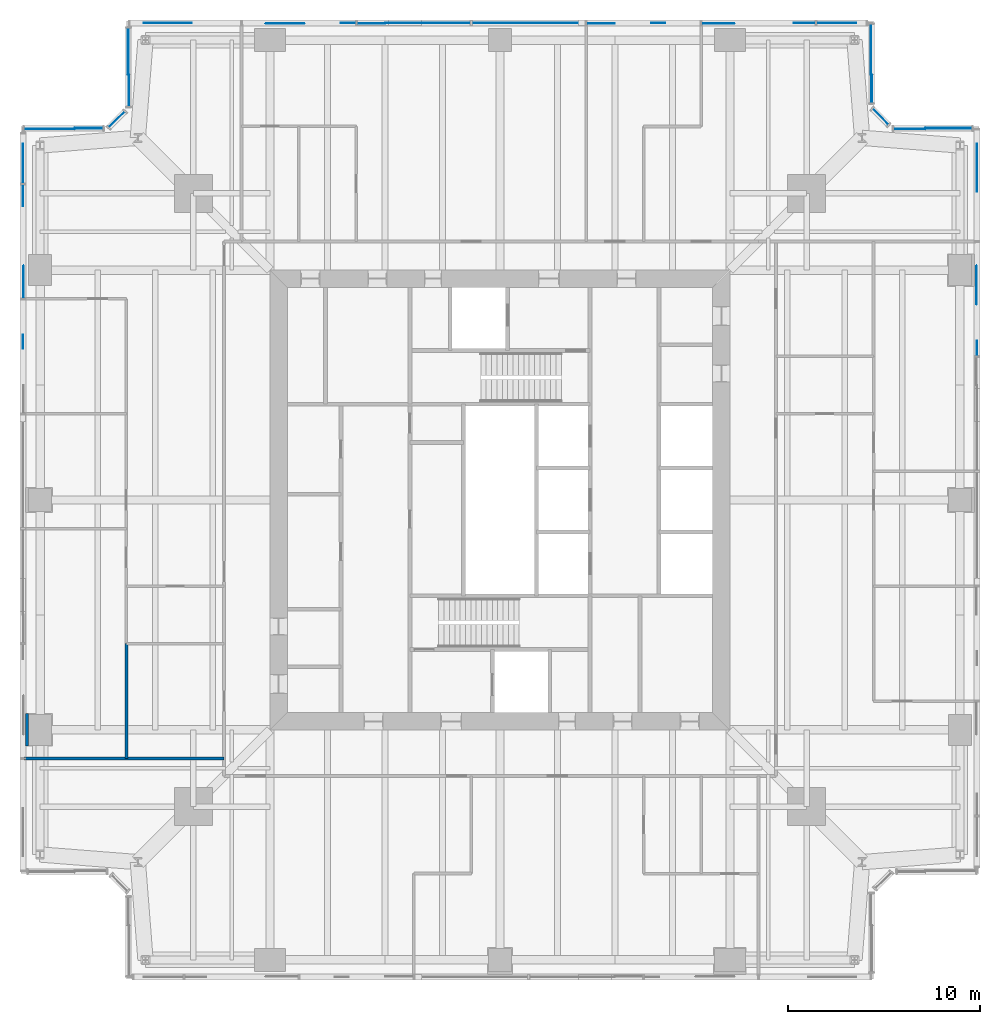
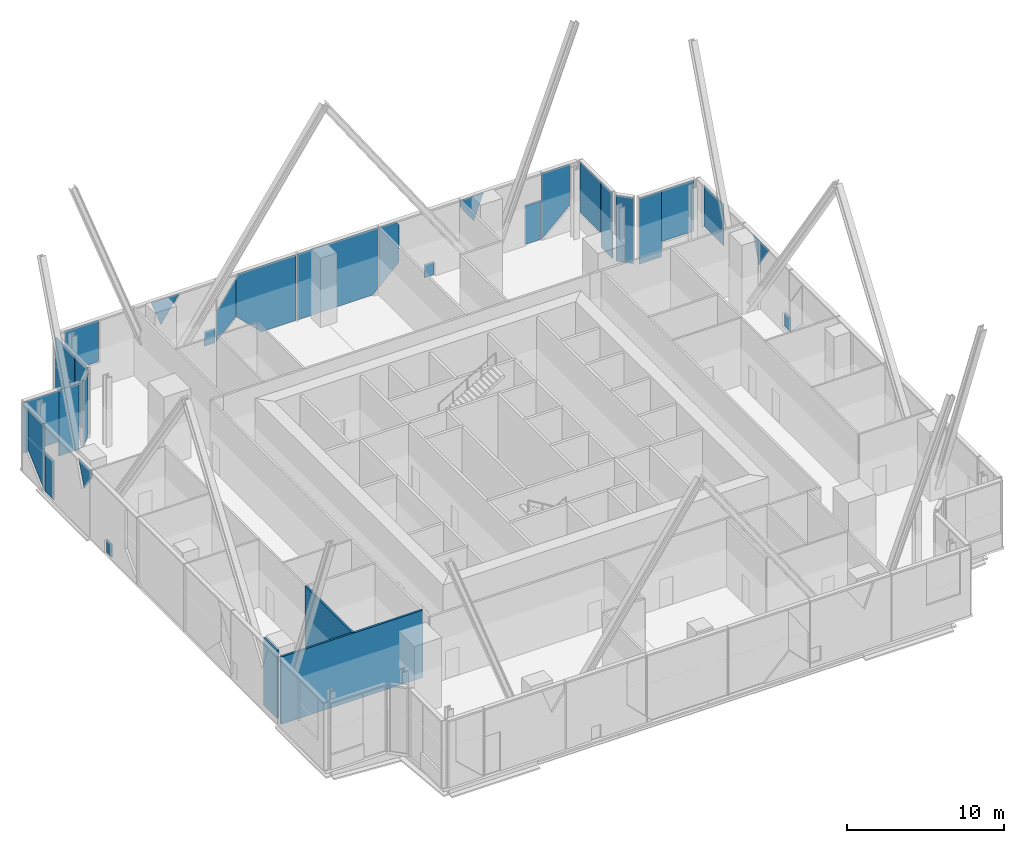
# One storey, part 8 of 14: 28 plates, 3 walls, 9 elements without a shape of their own.
"""IFC4 building model written with IfcOpenShell, lengths in metres."""

import ifcopenshell
import ifcopenshell.guid

model = None  # the IFC model being written
_history = None  # IfcOwnerHistory: only IFC2X3 demands one
_inside = {}  # id of a spatial element -> (the spatial element, [elements in it])
_under = {}  # id of a project, library or spatial element -> (it, [spatial elements below it])
_declared = {}  # id of a project -> (the project, [libraries it declares])
_typed = {}  # id of a type object -> (the type object, [elements of that type])
_made_of = {}  # id of a material, layer set ... -> (it, [elements and type objects made of it])


def new_model(schema):
    """Start an empty IFC model of exactly this schema.

    Asked for "IFC4X3", IfcOpenShell would pick the latest addendum, in which some entities
    have other attributes; the version numbers below select the first issue.
    IFC2X3 requires an IfcOwnerHistory on every rooted entity: one is made here for all.
    """
    global model, _history
    if schema == "IFC4X3":
        model = ifcopenshell.file(schema_version=(4, 3, 0, 0))
    else:
        model = ifcopenshell.file(schema=schema)
    _inside.clear()
    _under.clear()
    _declared.clear()
    _typed.clear()
    _made_of.clear()
    _history = None
    if model.schema == "IFC2X3":
        org = make("IfcOrganization", Name="unknown")
        user = make(
            "IfcPersonAndOrganization",
            ThePerson=make("IfcPerson", FamilyName="unknown"),
            TheOrganization=org,
        )
        app = make(
            "IfcApplication",
            ApplicationDeveloper=org,
            Version="unknown",
            ApplicationFullName="unknown",
            ApplicationIdentifier="unknown",
        )
        _history = make(
            "IfcOwnerHistory",
            OwningUser=user,
            OwningApplication=app,
            ChangeAction="ADDED",
            CreationDate=0,
        )
    return model


def make(cls, **values):
    """One entity of the class cls with the attributes given. An attribute that is None is left unset."""
    return model.create_entity(
        cls, **{name: value for name, value in values.items() if value is not None}
    )


def rooted(cls, **values):
    """An entity with a GlobalId (a new one), such as an element, a storey or a relation."""
    return make(cls, GlobalId=ifcopenshell.guid.new(), OwnerHistory=_history, **values)


def si_unit(unit_type, name, prefix=None):
    """IfcSIUnit, for example si_unit("LENGTHUNIT", "METRE", prefix="MILLI")."""
    return make("IfcSIUnit", UnitType=unit_type, Prefix=prefix, Name=name)


def assignment(units):
    """IfcUnitAssignment: the units of a project."""
    return None if units is None else make("IfcUnitAssignment", Units=units)


def point(xyz):
    """IfcCartesianPoint."""
    return None if xyz is None else make("IfcCartesianPoint", Coordinates=xyz)


def direction(xyz):
    """IfcDirection."""
    return None if xyz is None else make("IfcDirection", DirectionRatios=xyz)


def frame(location, z_axis=None, x_axis=None):
    """IfcAxis2Placement3D, a coordinate frame: its origin and axes. An axis left out is left unset."""
    return make(
        "IfcAxis2Placement3D",
        Location=point(location),
        Axis=direction(z_axis),
        RefDirection=direction(x_axis),
    )


def frame_2d(location, x_axis=None):
    """IfcAxis2Placement2D, a coordinate frame in the plane: its origin and x axis."""
    return make(
        "IfcAxis2Placement2D", Location=point(location), RefDirection=direction(x_axis)
    )


def origin():
    """The frame at (0, 0, 0) with its axes left unset."""
    return frame((0.0, 0.0, 0.0))


def origin_2d():
    """The frame at (0, 0) in the plane with its x axis left unset."""
    return frame_2d((0.0, 0.0))


def place(relative_to, where):
    """IfcLocalPlacement: puts the frame where relative to a parent placement (None: the world)."""
    return make(
        "IfcLocalPlacement", PlacementRelTo=relative_to, RelativePlacement=where
    )


def context(
    kind, dimensions, precision=None, world=None, true_north=None, identifier=None
):
    """IfcGeometricRepresentationContext, for example the 3D "Model" context."""
    return make(
        "IfcGeometricRepresentationContext",
        ContextIdentifier=identifier,
        ContextType=kind,
        CoordinateSpaceDimension=dimensions,
        Precision=precision,
        WorldCoordinateSystem=world,
        TrueNorth=true_north,
    )


def subcontext(parent, identifier, kind, view, scale=None):
    """IfcGeometricRepresentationSubContext, for example "Body" below "Model"."""
    return make(
        "IfcGeometricRepresentationSubContext",
        ContextIdentifier=identifier,
        ContextType=kind,
        ParentContext=parent,
        TargetScale=scale,
        TargetView=view,
    )


def project(units=None, contexts=None):
    """IfcProject with its units and contexts."""
    return rooted(
        "IfcProject",
        Name="project",
        RepresentationContexts=contexts,
        UnitsInContext=assignment(units),
    )


def spatial(cls, under=None, at=None, **own):
    """A site, building, storey or space (cls), placed at a placement, below another one or the project."""
    s = rooted(cls, ObjectPlacement=at, **own)
    if under is not None:
        _under.setdefault(under.id(), (under, []))[1].append(s)
    return s


def polyline(points):
    """IfcPolyline through the points."""
    return make("IfcPolyline", Points=[point(p) for p in points])


def profile(cls, at=None, kind="AREA", **sizes):
    """A parametric profile (cls). Its sizes go by their IFC names, for example OverallWidth=200.0."""
    return make(cls, ProfileType=kind, Position=at, **sizes)


def rectangle(**sizes):
    """IfcRectangleProfileDef."""
    return profile("IfcRectangleProfileDef", **sizes)


def outline(outer, holes=None, kind="AREA"):
    """IfcArbitraryClosedProfileDef: a profile drawn as a closed curve; with holes, ...WithVoids."""
    if holes is None:
        return make("IfcArbitraryClosedProfileDef", ProfileType=kind, OuterCurve=outer)
    return make(
        "IfcArbitraryProfileDefWithVoids",
        ProfileType=kind,
        OuterCurve=outer,
        InnerCurves=holes,
    )


def extrude(swept, where, along, depth):
    """IfcExtrudedAreaSolid: the profile swept, set in the frame where, extruded along a direction by depth."""
    return make(
        "IfcExtrudedAreaSolid",
        SweptArea=swept,
        Position=where,
        ExtrudedDirection=direction(along),
        Depth=depth,
    )


def shape(context_of_items, identifier, shape_type, items):
    """IfcShapeRepresentation: the items that make up one representation, for example the "Body"."""
    return make(
        "IfcShapeRepresentation",
        ContextOfItems=context_of_items,
        RepresentationIdentifier=identifier,
        RepresentationType=shape_type,
        Items=items,
    )


def material(Name=None, Category=None):
    """IfcMaterial."""
    return make("IfcMaterial", Name=Name, Category=Category)


def layer(
    of_material, thickness, ventilated=None, Name=None, Category=None, Priority=None
):
    """IfcMaterialLayer: one layer of a wall or slab, of a material (None: an air gap)."""
    return make(
        "IfcMaterialLayer",
        Material=of_material,
        LayerThickness=thickness,
        IsVentilated=ventilated,
        Name=Name,
        Category=Category,
        Priority=Priority,
    )


def layer_set(layers, Name=None):
    """IfcMaterialLayerSet."""
    return make("IfcMaterialLayerSet", MaterialLayers=layers, LayerSetName=Name)


def made_of(thing, what):
    """Note that an element or type object is made of a material, layer set ...; save() writes the relation."""
    if what is not None:
        _made_of.setdefault(what.id(), (what, []))[1].append(thing)
    return thing


def type_object(cls, material=None, **own):
    """A type object (cls), such as IfcWallType, which elements share."""
    return made_of(rooted(cls, **own), material)


def element(
    cls,
    number,
    at=None,
    inside=None,
    cuts=None,
    type_object=None,
    material=None,
    context=None,
    identifier="Body",
    shape_type=None,
    held_by="IfcProductDefinitionShape",
    body=None,
    shapes=None,
    **own,
):
    """One element of the class cls, such as IfcWall. Its Tag is "e" and its number.

    at: its placement. inside: the storey or other place that contains it. cuts: it is an
    opening in that element (IfcRelVoidsElement). A single representation is given by context,
    identifier, shape_type and body (its items); several are given by shapes. held_by: the class
    of the entity that holds the representations. save() writes the other relations.
    """
    e = rooted(cls, Tag="e%d" % number, ObjectPlacement=at, **own)
    if body is not None:
        shapes = [shape(context, identifier, shape_type, body)]
    if shapes is not None:
        e.Representation = make(held_by, Representations=shapes)
    if inside is not None:
        _inside.setdefault(inside.id(), (inside, []))[1].append(e)
    if cuts is not None:
        rooted(
            "IfcRelVoidsElement", RelatingBuildingElement=cuts, RelatedOpeningElement=e
        )
    if type_object is not None:
        _typed.setdefault(type_object.id(), (type_object, []))[1].append(e)
    return made_of(e, material)


def aggregate(whole, parts):
    """IfcRelAggregates: a whole, such as a stair, and the parts it consists of."""
    return rooted("IfcRelAggregates", RelatingObject=whole, RelatedObjects=parts)


def save(model, path):
    """Write the relations noted so far, then the file.

    IfcRelAggregates (storeys below a building ...), IfcRelContainedInSpatialStructure (elements
    in a storey), IfcRelDefinesByType, IfcRelAssociatesMaterial and IfcRelDeclares: one each for
    every whole, place, type object, material and project.
    """
    for whole, parts in _under.values():
        aggregate(whole, parts)
    for where, things in _inside.values():
        rooted(
            "IfcRelContainedInSpatialStructure",
            RelatedElements=things,
            RelatingStructure=where,
        )
    for kind, things in _typed.values():
        rooted("IfcRelDefinesByType", RelatedObjects=things, RelatingType=kind)
    for what, things in _made_of.values():
        rooted("IfcRelAssociatesMaterial", RelatedObjects=things, RelatingMaterial=what)
    for by, libraries in _declared.values():
        rooted("IfcRelDeclares", RelatingContext=by, RelatedDefinitions=libraries)
    model.write(path)


model = new_model("IFC4")

# Units and contexts
model_context = context("Model", 3, precision=1e-05, world=origin(), true_north=direction((0.0, 1.0)))
body_context = subcontext(model_context, "Body", "Model", "MODEL_VIEW")
ifc_project = project(units=[si_unit("LENGTHUNIT", "METRE"), si_unit("AREAUNIT", "SQUARE_METRE"), si_unit("VOLUMEUNIT", "CUBIC_METRE"), si_unit("PLANEANGLEUNIT", "RADIAN"), si_unit("MASSUNIT", "GRAM", prefix="KILO")], contexts=[model_context])

# Site, building, storey
site_placement = place(None, origin())
site = spatial("IfcSite", under=ifc_project, at=site_placement, CompositionType="ELEMENT")
building_placement = place(site_placement, origin())
building = spatial("IfcBuilding", under=site, at=building_placement, Name="Fenwick Lantern Interchange", CompositionType="ELEMENT")
storey_placement = place(building_placement, frame((0.0, 0.0, 168.39990234375)))
storey = spatial("IfcBuildingStorey", under=building, at=storey_placement, Name="L39", CompositionType="ELEMENT", Elevation=168.39990234375)

# Curtain wall, plates
ifc_material_1 = material(Name="Aluminium curtain wall frame", Category="aluminium")
curtain_wall_type = type_object("IfcCurtainWallType", Name="SKY LOBBY GLAZING", PredefinedType="USERDEFINED", material=ifc_material_1)
curtain_wall_1_placement = place(storey_placement, origin())
curtain_wall_1 = element("IfcCurtainWall", 1, at=curtain_wall_1_placement, inside=storey, type_object=curtain_wall_type, Name="Sky lobby glazing 05", ObjectType="SKY LOBBY GLAZING", PredefinedType="USERDEFINED")
ifc_material_2 = material(Name="Vision glass, clear laminated double glazed", Category="glass")
ifc_layer_1 = layer(ifc_material_2, 0.035888671875)
ifc_layer_set_1 = layer_set([ifc_layer_1], Name="SKY LOBBY GLAZING PANEL 36")
plate_type = type_object("IfcPlateType", Name="SKY LOBBY GLAZING PANEL 36", PredefinedType="CURTAIN_PANEL", material=ifc_layer_set_1)
plate_1_placement = place(storey_placement, frame((49.89990234375, 5.60009765625, 0.355712890625), z_axis=(0.0, 0.0, 1.0), x_axis=(0.0, 1.0, 0.0)))
plate_1 = element("IfcPlate", 2, at=plate_1_placement, type_object=plate_type, Name="L39/CW/05/P05a", PredefinedType="CURTAIN_PANEL", context=body_context, shape_type="SweptSolid", body=[
    extrude(outline(polyline([(26.93994140625, 0.0), (27.715087890625, 0.0), (27.715087890625, 1.13671875), (26.93994140625, 1.13671875), (26.93994140625, 0.0)])), frame((0.0, 0.01806640625, 0.0), z_axis=(0.0, -1.0, 0.0), x_axis=(1.0, 0.0, 0.0)), (0.0, 0.0, 1.0), 0.035888671875),
])
plate_2_placement = place(storey_placement, frame((49.89990234375, 5.60009765625, 3.182373046875), z_axis=(0.0, 0.0, 1.0), x_axis=(0.0, 1.0, 0.0)))
plate_2 = element("IfcPlate", 3, at=plate_2_placement, type_object=plate_type, Name="L39/CW/05/P05b", PredefinedType="CURTAIN_PANEL", context=body_context, shape_type="SweptSolid", body=[
    extrude(outline(polyline([(30.92138671875, 0.0), (31.645263671875, 1.94775390625), (29.585205078125, 1.94775390625), (30.92138671875, 0.0)])), frame((0.0, 0.05615234375, 0.0), z_axis=(0.0, -1.0, 0.0), x_axis=(1.0, 0.0, 0.0)), (0.0, 0.0, 1.0), 0.035888671875),
])
plate_3_placement = place(storey_placement, frame((49.89990234375, 5.60009765625, 1.8935546875), z_axis=(0.0, 0.0, 1.0), x_axis=(0.0, 1.0, 0.0)))
plate_3 = element("IfcPlate", 4, at=plate_3_placement, type_object=plate_type, Name="L39/CW/05/P06a", PredefinedType="CURTAIN_PANEL", context=body_context, shape_type="SweptSolid", body=[
    extrude(outline(polyline([(35.4892578125, 0.0), (38.001708984375, 0.0), (38.001708984375, 3.236572265625), (35.4892578125, 3.236572265625), (35.4892578125, 0.0)])), frame((0.0, 0.01806640625, 0.0), z_axis=(0.0, -1.0, 0.0), x_axis=(1.0, 0.0, 0.0)), (0.0, 0.0, 1.0), 0.035888671875),
])
aggregate(curtain_wall_1, [plate_1, plate_2, plate_3])

curtain_wall_2_placement = place(storey_placement, origin())
curtain_wall_2 = element("IfcCurtainWall", 5, at=curtain_wall_2_placement, inside=storey, type_object=curtain_wall_type, Name="Sky lobby glazing 06", ObjectType="SKY LOBBY GLAZING", PredefinedType="USERDEFINED")
plate_4_placement = place(storey_placement, frame((49.89990234375, 44.39990234375, 1.150146484375), z_axis=(0.0, 0.0, 1.0), x_axis=(-1.0, 0.0, 0.0)))
plate_4 = element("IfcPlate", 6, at=plate_4_placement, type_object=plate_type, Name="L39/CW/06/P00a", PredefinedType="CURTAIN_PANEL", context=body_context, shape_type="SweptSolid", body=[
    extrude(outline(polyline([(0.280029296875, 0.0), (2.699951171875, 0.0), (2.699951171875, 3.97998046875), (0.280029296875, 3.97998046875), (0.280029296875, 0.0)])), frame((0.0, 0.01806640625, 0.0), z_axis=(0.0, -1.0, 0.0), x_axis=(1.0, 0.0, 0.0)), (0.0, 0.0, 1.0), 0.035888671875),
])
plate_5_placement = place(storey_placement, frame((49.89990234375, 44.39990234375, 0.0), z_axis=(0.0, 0.0, 1.0), x_axis=(-1.0, 0.0, 0.0)))
plate_5 = element("IfcPlate", 7, at=plate_5_placement, type_object=plate_type, Name="L39/CW/06/P00b", PredefinedType="CURTAIN_PANEL", context=body_context, shape_type="SweptSolid", body=[
    extrude(outline(polyline([(2.699951171875, 0.0), (4.361328125, 0.0), (4.361328125, 5.130126953125), (2.699951171875, 5.130126953125), (2.699951171875, 0.0)])), frame((0.0, 0.05615234375, 0.0), z_axis=(0.0, -1.0, 0.0), x_axis=(1.0, 0.0, 0.0)), (0.0, 0.0, 1.0), 0.035888671875),
])
aggregate(curtain_wall_2, [plate_4, plate_5])

# Curtain wall, plate
curtain_wall_3_placement = place(storey_placement, origin())
curtain_wall_3 = element("IfcCurtainWall", 8, at=curtain_wall_3_placement, inside=storey, type_object=curtain_wall_type, Name="Sky lobby glazing 07", ObjectType="SKY LOBBY GLAZING", PredefinedType="USERDEFINED")
plate_6_placement = place(storey_placement, frame((44.858642578125, 45.0, 0.000244140625), z_axis=(0.0, 0.0, 1.0), x_axis=(-0.707106781187, 0.707106781187, 0.0)))
plate_6 = element("IfcPlate", 9, at=plate_6_placement, type_object=plate_type, Name="L39/CW/07/P00", PredefinedType="CURTAIN_PANEL", context=body_context, shape_type="SweptSolid", body=[
    extrude(rectangle(XDim=1.136962890625, YDim=0.035888671875, at=origin_2d()), origin(), (0.0, 0.0, 1.0), 5.1298828125),
])
aggregate(curtain_wall_3, [plate_6])

# Curtain wall, plates
curtain_wall_4_placement = place(storey_placement, origin())
curtain_wall_4 = element("IfcCurtainWall", 10, at=curtain_wall_4_placement, inside=storey, type_object=curtain_wall_type, Name="Sky lobby glazing 08", ObjectType="SKY LOBBY GLAZING", PredefinedType="USERDEFINED")
plate_7_placement = place(storey_placement, frame((44.39990234375, 45.45849609375, 0.0), z_axis=(0.0, 0.0, 1.0), x_axis=(0.0, 1.0, 0.0)))
plate_7 = element("IfcPlate", 11, at=plate_7_placement, type_object=plate_type, Name="L39/CW/08/P00a", PredefinedType="CURTAIN_PANEL", context=body_context, shape_type="SweptSolid", body=[
    extrude(outline(polyline([(0.280029296875, 0.0), (1.741455078125, 0.0), (1.741455078125, 5.130126953125), (0.280029296875, 5.130126953125), (0.280029296875, 0.0)])), frame((0.0, 0.01806640625, 0.0), z_axis=(0.0, -1.0, 0.0), x_axis=(1.0, 0.0, 0.0)), (0.0, 0.0, 1.0), 0.035888671875),
])
plate_8_placement = place(storey_placement, frame((44.39990234375, 45.45849609375, 1.150146484375), z_axis=(0.0, 0.0, 1.0), x_axis=(0.0, 1.0, 0.0)))
plate_8 = element("IfcPlate", 12, at=plate_8_placement, type_object=plate_type, Name="L39/CW/08/P00b", PredefinedType="CURTAIN_PANEL", context=body_context, shape_type="SweptSolid", body=[
    extrude(outline(polyline([(1.741455078125, 0.0), (4.361328125, 0.0), (4.361328125, 3.97998046875), (1.741455078125, 3.97998046875), (1.741455078125, 0.0)])), frame((0.0, 0.05615234375, 0.0), z_axis=(0.0, -1.0, 0.0), x_axis=(1.0, 0.0, 0.0)), (0.0, 0.0, 1.0), 0.035888671875),
])
aggregate(curtain_wall_4, [plate_7, plate_8])

curtain_wall_5_placement = place(storey_placement, origin())
curtain_wall_5 = element("IfcCurtainWall", 13, at=curtain_wall_5_placement, inside=storey, type_object=curtain_wall_type, Name="Sky lobby glazing 09", ObjectType="SKY LOBBY GLAZING", PredefinedType="USERDEFINED")
plate_9_placement = place(storey_placement, frame((44.39990234375, 49.89990234375, 0.0), z_axis=(0.0, 0.0, 1.0), x_axis=(-1.0, 0.0, 0.0)))
plate_9 = element("IfcPlate", 14, at=plate_9_placement, type_object=plate_type, Name="L39/CW/09/P00a", PredefinedType="CURTAIN_PANEL", context=body_context, shape_type="SweptSolid", body=[
    extrude(outline(polyline([(2.849609375, 0.0), (2.860107421875, 0.0), (2.860107421875, 5.130126953125), (0.79833984375, 5.130126953125), (0.79833984375, 1.8935546875), (2.849609375, 0.0)])), frame((0.0, 0.01806640625, 0.0), z_axis=(0.0, -1.0, 0.0), x_axis=(1.0, 0.0, 0.0)), (0.0, 0.0, 1.0), 0.035888671875),
])
plate_10_placement = place(storey_placement, frame((44.39990234375, 49.89990234375, 0.0), z_axis=(0.0, 0.0, 1.0), x_axis=(-1.0, 0.0, 0.0)))
plate_10 = element("IfcPlate", 15, at=plate_10_placement, type_object=plate_type, Name="L39/CW/09/P01a", PredefinedType="CURTAIN_PANEL", context=body_context, shape_type="SweptSolid", body=[
    extrude(outline(polyline([(2.93994140625, 0.0), (4.080078125, 0.0), (4.080078125, 3.069580078125), (2.93994140625, 3.069580078125), (2.93994140625, 0.0)])), frame((0.0, 0.01806640625, 0.0), z_axis=(0.0, -1.0, 0.0), x_axis=(1.0, 0.0, 0.0)), (0.0, 0.0, 1.0), 0.035888671875),
])
plate_11_placement = place(storey_placement, frame((44.39990234375, 49.89990234375, 3.182373046875), z_axis=(0.0, 0.0, 1.0), x_axis=(-1.0, 0.0, 0.0)))
plate_11 = element("IfcPlate", 16, at=plate_11_placement, type_object=plate_type, Name="L39/CW/09/P01b", PredefinedType="CURTAIN_PANEL", context=body_context, shape_type="SweptSolid", body=[
    extrude(outline(polyline([(7.878662109375, 0.0), (8.860107421875, 1.4306640625), (8.860107421875, 1.94775390625), (7.15478515625, 1.94775390625), (7.878662109375, 0.0)])), frame((0.0, 0.05615234375, 0.0), z_axis=(0.0, -1.0, 0.0), x_axis=(1.0, 0.0, 0.0)), (0.0, 0.0, 1.0), 0.035888671875),
])
plate_12_placement = place(storey_placement, frame((44.39990234375, 49.89990234375, 0.0), z_axis=(0.0, 0.0, 1.0), x_axis=(-1.0, 0.0, 0.0)))
plate_12 = element("IfcPlate", 17, at=plate_12_placement, type_object=plate_type, Name="L39/CW/09/P02a", PredefinedType="CURTAIN_PANEL", context=body_context, shape_type="SweptSolid", body=[
    extrude(outline(polyline([(10.781005859375, 0.0), (11.5009765625, 0.0), (11.5009765625, 1.049560546875), (10.781005859375, 1.049560546875), (10.781005859375, 0.0)])), frame((0.0, 0.01806640625, 0.0), z_axis=(0.0, -1.0, 0.0), x_axis=(1.0, 0.0, 0.0)), (0.0, 0.0, 1.0), 0.035888671875),
])
plate_13_placement = place(storey_placement, frame((44.39990234375, 49.89990234375, 0.435791015625), z_axis=(0.0, 0.0, 1.0), x_axis=(-1.0, 0.0, 0.0)))
plate_13 = element("IfcPlate", 18, at=plate_13_placement, type_object=plate_type, Name="L39/CW/09/P02b", PredefinedType="CURTAIN_PANEL", context=body_context, shape_type="SweptSolid", body=[
    extrude(outline(polyline([(14.860107421875, 0.0), (14.860107421875, 4.6943359375), (13.58056640625, 4.6943359375), (13.39990234375, 4.43115234375), (13.39990234375, 1.4599609375), (14.860107421875, 0.0)])), frame((0.0, 0.05615234375, 0.0), z_axis=(0.0, -1.0, 0.0), x_axis=(1.0, 0.0, 0.0)), (0.0, 0.0, 1.0), 0.035888671875),
])
plate_14_placement = place(storey_placement, frame((44.39990234375, 49.89990234375, 0.0), z_axis=(0.0, 0.0, 1.0), x_axis=(-1.0, 0.0, 0.0)))
plate_14 = element("IfcPlate", 19, at=plate_14_placement, type_object=plate_type, Name="L39/CW/09/P03a", PredefinedType="CURTAIN_PANEL", context=body_context, shape_type="SweptSolid", body=[
    extrude(outline(polyline([(15.295654296875, 0.0), (20.860107421875, 0.0), (20.860107421875, 5.130126953125), (14.93994140625, 5.130126953125), (14.93994140625, 0.355712890625), (15.295654296875, 0.0)])), frame((0.0, 0.01806640625, 0.0), z_axis=(0.0, -1.0, 0.0), x_axis=(1.0, 0.0, 0.0)), (0.0, 0.0, 1.0), 0.035888671875),
])
plate_15_placement = place(storey_placement, frame((44.39990234375, 49.89990234375, 0.0), z_axis=(0.0, 0.0, 1.0), x_axis=(-1.0, 0.0, 0.0)))
plate_15 = element("IfcPlate", 20, at=plate_15_placement, type_object=plate_type, Name="L39/CW/09/P04a", PredefinedType="CURTAIN_PANEL", context=body_context, shape_type="SweptSolid", body=[
    extrude(outline(polyline([(20.93994140625, 0.0), (23.50439453125, 0.0), (25.39990234375, 1.895751953125), (25.39990234375, 4.866943359375), (25.219482421875, 5.130126953125), (20.93994140625, 5.130126953125), (20.93994140625, 0.0)])), frame((0.0, 0.01806640625, 0.0), z_axis=(0.0, -1.0, 0.0), x_axis=(1.0, 0.0, 0.0)), (0.0, 0.0, 1.0), 0.035888671875),
])
plate_16_placement = place(storey_placement, frame((44.39990234375, 49.89990234375, 0.435791015625), z_axis=(0.0, 0.0, 1.0), x_axis=(-1.0, 0.0, 0.0)))
plate_16 = element("IfcPlate", 21, at=plate_16_placement, type_object=plate_type, Name="L39/CW/09/P04b", PredefinedType="CURTAIN_PANEL", context=body_context, shape_type="SweptSolid", body=[
    extrude(outline(polyline([(26.860107421875, 0.0), (26.860107421875, 2.302978515625), (25.39990234375, 4.43115234375), (25.39990234375, 1.4599609375), (26.860107421875, 0.0)])), frame((0.0, 0.05615234375, 0.0), z_axis=(0.0, -1.0, 0.0), x_axis=(1.0, 0.0, 0.0)), (0.0, 0.0, 1.0), 0.035888671875),
])
plate_17_placement = place(storey_placement, frame((44.39990234375, 49.89990234375, 0.355712890625), z_axis=(0.0, 0.0, 1.0), x_axis=(-1.0, 0.0, 0.0)))
plate_17 = element("IfcPlate", 22, at=plate_17_placement, type_object=plate_type, Name="L39/CW/09/P05a", PredefinedType="CURTAIN_PANEL", context=body_context, shape_type="SweptSolid", body=[
    extrude(outline(polyline([(26.93994140625, 0.0), (27.715087890625, 0.0), (27.715087890625, 1.13671875), (26.93994140625, 1.13671875), (26.93994140625, 0.0)])), frame((0.0, 0.01806640625, 0.0), z_axis=(0.0, -1.0, 0.0), x_axis=(1.0, 0.0, 0.0)), (0.0, 0.0, 1.0), 0.035888671875),
])
plate_18_placement = place(storey_placement, frame((44.39990234375, 49.89990234375, 3.182373046875), z_axis=(0.0, 0.0, 1.0), x_axis=(-1.0, 0.0, 0.0)))
plate_18 = element("IfcPlate", 23, at=plate_18_placement, type_object=plate_type, Name="L39/CW/09/P05b", PredefinedType="CURTAIN_PANEL", context=body_context, shape_type="SweptSolid", body=[
    extrude(outline(polyline([(30.92138671875, 0.0), (31.645263671875, 1.94775390625), (29.585205078125, 1.94775390625), (30.92138671875, 0.0)])), frame((0.0, 0.05615234375, 0.0), z_axis=(0.0, -1.0, 0.0), x_axis=(1.0, 0.0, 0.0)), (0.0, 0.0, 1.0), 0.035888671875),
])
plate_19_placement = place(storey_placement, frame((44.39990234375, 49.89990234375, 1.8935546875), z_axis=(0.0, 0.0, 1.0), x_axis=(-1.0, 0.0, 0.0)))
plate_19 = element("IfcPlate", 24, at=plate_19_placement, type_object=plate_type, Name="L39/CW/09/P06a", PredefinedType="CURTAIN_PANEL", context=body_context, shape_type="SweptSolid", body=[
    extrude(outline(polyline([(35.4892578125, 0.0), (38.001708984375, 0.0), (38.001708984375, 3.236572265625), (35.4892578125, 3.236572265625), (35.4892578125, 0.0)])), frame((0.0, 0.01806640625, 0.0), z_axis=(0.0, -1.0, 0.0), x_axis=(1.0, 0.0, 0.0)), (0.0, 0.0, 1.0), 0.035888671875),
])
aggregate(curtain_wall_5, [plate_9, plate_10, plate_11, plate_12, plate_13, plate_14, plate_15, plate_16, plate_17, plate_18, plate_19])

curtain_wall_6_placement = place(storey_placement, origin())
curtain_wall_6 = element("IfcCurtainWall", 25, at=curtain_wall_6_placement, inside=storey, type_object=curtain_wall_type, Name="Sky lobby glazing 10", ObjectType="SKY LOBBY GLAZING", PredefinedType="USERDEFINED")
plate_20_placement = place(storey_placement, frame((5.60009765625, 49.89990234375, 1.150146484375), z_axis=(0.0, 0.0, 1.0), x_axis=(0.0, -1.0, 0.0)))
plate_20 = element("IfcPlate", 26, at=plate_20_placement, type_object=plate_type, Name="L39/CW/10/P00a", PredefinedType="CURTAIN_PANEL", context=body_context, shape_type="SweptSolid", body=[
    extrude(outline(polyline([(0.280029296875, 0.0), (2.699951171875, 0.0), (2.699951171875, 3.97998046875), (0.280029296875, 3.97998046875), (0.280029296875, 0.0)])), frame((0.0, 0.01806640625, 0.0), z_axis=(0.0, -1.0, 0.0), x_axis=(1.0, 0.0, 0.0)), (0.0, 0.0, 1.0), 0.035888671875),
])
plate_21_placement = place(storey_placement, frame((5.60009765625, 49.89990234375, 0.0), z_axis=(0.0, 0.0, 1.0), x_axis=(0.0, -1.0, 0.0)))
plate_21 = element("IfcPlate", 27, at=plate_21_placement, type_object=plate_type, Name="L39/CW/10/P00b", PredefinedType="CURTAIN_PANEL", context=body_context, shape_type="SweptSolid", body=[
    extrude(outline(polyline([(2.699951171875, 0.0), (4.361328125, 0.0), (4.361328125, 5.130126953125), (2.699951171875, 5.130126953125), (2.699951171875, 0.0)])), frame((0.0, 0.05615234375, 0.0), z_axis=(0.0, -1.0, 0.0), x_axis=(1.0, 0.0, 0.0)), (0.0, 0.0, 1.0), 0.035888671875),
])
aggregate(curtain_wall_6, [plate_20, plate_21])

# Curtain wall, plate
curtain_wall_7_placement = place(storey_placement, origin())
curtain_wall_7 = element("IfcCurtainWall", 28, at=curtain_wall_7_placement, inside=storey, type_object=curtain_wall_type, Name="Sky lobby glazing 11", ObjectType="SKY LOBBY GLAZING", PredefinedType="USERDEFINED")
plate_22_placement = place(storey_placement, frame((5.0, 44.858642578125, 0.000244140625), z_axis=(0.0, 0.0, 1.0), x_axis=(-0.707106781187, -0.707106781187, 0.0)))
plate_22 = element("IfcPlate", 29, at=plate_22_placement, type_object=plate_type, Name="L39/CW/11/P00", PredefinedType="CURTAIN_PANEL", context=body_context, shape_type="SweptSolid", body=[
    extrude(rectangle(XDim=1.136962890625, YDim=0.035888671875, at=origin_2d()), origin(), (0.0, 0.0, 1.0), 5.1298828125),
])
aggregate(curtain_wall_7, [plate_22])

# Curtain wall, plates
curtain_wall_8_placement = place(storey_placement, origin())
curtain_wall_8 = element("IfcCurtainWall", 30, at=curtain_wall_8_placement, inside=storey, type_object=curtain_wall_type, Name="Sky lobby glazing 12", ObjectType="SKY LOBBY GLAZING", PredefinedType="USERDEFINED")
plate_23_placement = place(storey_placement, frame((4.54150390625, 44.39990234375, 0.0), z_axis=(0.0, 0.0, 1.0), x_axis=(-1.0, 0.0, 0.0)))
plate_23 = element("IfcPlate", 31, at=plate_23_placement, type_object=plate_type, Name="L39/CW/12/P00a", PredefinedType="CURTAIN_PANEL", context=body_context, shape_type="SweptSolid", body=[
    extrude(outline(polyline([(0.280029296875, 0.0), (1.741455078125, 0.0), (1.741455078125, 5.130126953125), (0.280029296875, 5.130126953125), (0.280029296875, 0.0)])), frame((0.0, 0.01806640625, 0.0), z_axis=(0.0, -1.0, 0.0), x_axis=(1.0, 0.0, 0.0)), (0.0, 0.0, 1.0), 0.035888671875),
])
plate_24_placement = place(storey_placement, frame((4.54150390625, 44.39990234375, 1.150146484375), z_axis=(0.0, 0.0, 1.0), x_axis=(-1.0, 0.0, 0.0)))
plate_24 = element("IfcPlate", 32, at=plate_24_placement, type_object=plate_type, Name="L39/CW/12/P00b", PredefinedType="CURTAIN_PANEL", context=body_context, shape_type="SweptSolid", body=[
    extrude(outline(polyline([(1.741455078125, 0.0), (4.361328125, 0.0), (4.361328125, 3.97998046875), (1.741455078125, 3.97998046875), (1.741455078125, 0.0)])), frame((0.0, 0.05615234375, 0.0), z_axis=(0.0, -1.0, 0.0), x_axis=(1.0, 0.0, 0.0)), (0.0, 0.0, 1.0), 0.035888671875),
])
aggregate(curtain_wall_8, [plate_23, plate_24])

curtain_wall_9_placement = place(storey_placement, origin())
curtain_wall_9 = element("IfcCurtainWall", 33, at=curtain_wall_9_placement, inside=storey, type_object=curtain_wall_type, Name="Sky lobby glazing 13", ObjectType="SKY LOBBY GLAZING", PredefinedType="USERDEFINED")
plate_25_placement = place(storey_placement, frame((0.10009765625, 44.39990234375, 0.0), z_axis=(0.0, 0.0, 1.0), x_axis=(0.0, -1.0, 0.0)))
plate_25 = element("IfcPlate", 34, at=plate_25_placement, type_object=plate_type, Name="L39/CW/13/P00a", PredefinedType="CURTAIN_PANEL", context=body_context, shape_type="SweptSolid", body=[
    extrude(outline(polyline([(2.849609375, 0.0), (2.860107421875, 0.0), (2.860107421875, 5.130126953125), (0.79833984375, 5.130126953125), (0.79833984375, 1.8935546875), (2.849609375, 0.0)])), frame((0.0, 0.01806640625, 0.0), z_axis=(0.0, -1.0, 0.0), x_axis=(1.0, 0.0, 0.0)), (0.0, 0.0, 1.0), 0.035888671875),
])
plate_26_placement = place(storey_placement, frame((0.10009765625, 44.39990234375, 0.0), z_axis=(0.0, 0.0, 1.0), x_axis=(0.0, -1.0, 0.0)))
plate_26 = element("IfcPlate", 35, at=plate_26_placement, type_object=plate_type, Name="L39/CW/13/P01a", PredefinedType="CURTAIN_PANEL", context=body_context, shape_type="SweptSolid", body=[
    extrude(outline(polyline([(2.93994140625, 0.0), (4.080078125, 0.0), (4.080078125, 3.069580078125), (2.93994140625, 3.069580078125), (2.93994140625, 0.0)])), frame((0.0, 0.01806640625, 0.0), z_axis=(0.0, -1.0, 0.0), x_axis=(1.0, 0.0, 0.0)), (0.0, 0.0, 1.0), 0.035888671875),
])
plate_27_placement = place(storey_placement, frame((0.10009765625, 44.39990234375, 3.182373046875), z_axis=(0.0, 0.0, 1.0), x_axis=(0.0, -1.0, 0.0)))
plate_27 = element("IfcPlate", 36, at=plate_27_placement, type_object=plate_type, Name="L39/CW/13/P01b", PredefinedType="CURTAIN_PANEL", context=body_context, shape_type="SweptSolid", body=[
    extrude(outline(polyline([(7.878662109375, 0.0), (8.860107421875, 1.4306640625), (8.860107421875, 1.94775390625), (7.15478515625, 1.94775390625), (7.878662109375, 0.0)])), frame((0.0, 0.05615234375, 0.0), z_axis=(0.0, -1.0, 0.0), x_axis=(1.0, 0.0, 0.0)), (0.0, 0.0, 1.0), 0.035888671875),
])
plate_28_placement = place(storey_placement, frame((0.10009765625, 44.39990234375, 0.0), z_axis=(0.0, 0.0, 1.0), x_axis=(0.0, -1.0, 0.0)))
plate_28 = element("IfcPlate", 37, at=plate_28_placement, type_object=plate_type, Name="L39/CW/13/P02a", PredefinedType="CURTAIN_PANEL", context=body_context, shape_type="SweptSolid", body=[
    extrude(outline(polyline([(10.781005859375, 0.0), (11.5009765625, 0.0), (11.5009765625, 1.049560546875), (10.781005859375, 1.049560546875), (10.781005859375, 0.0)])), frame((0.0, 0.01806640625, 0.0), z_axis=(0.0, -1.0, 0.0), x_axis=(1.0, 0.0, 0.0)), (0.0, 0.0, 1.0), 0.035888671875),
])
aggregate(curtain_wall_9, [plate_25, plate_26, plate_27, plate_28])

# Walls
ifc_material_3 = material(Name="Fire-rated gypsum board encasement on steel studs, 2 hour", Category="steel")
ifc_layer_2 = layer(ifc_material_3, 1.699951171875)
ifc_layer_set_2 = layer_set([ifc_layer_2], Name="COLUMN PIER 1700")
wall_type_1 = type_object("IfcWallType", Name="COLUMN PIER 1700", PredefinedType="PARTITIONING", material=ifc_layer_set_2)
wall_1_placement = place(storey_placement, frame((0.25, 13.0, 0.0), z_axis=(0.0, 0.0, 1.0), x_axis=(1.0, 0.0, 0.0)))
element("IfcWall", 38, at=wall_1_placement, inside=storey, type_object=wall_type_1, Name="L39/W/PIER/CW4", PredefinedType="PARTITIONING", context=body_context, shape_type="SweptSolid", body=[
    extrude(rectangle(XDim=0.14990234375, YDim=1.699951171875, at=frame_2d((0.074951171875, 0.0))), origin(), (0.0, 0.0, 1.0), 5.25),
])
ifc_material_4 = material(Name="Gypsum board on steel studs, 1 hour acoustic", Category="steel")
ifc_layer_3 = layer(ifc_material_4, 0.14990234375)
ifc_layer_set_3 = layer_set([ifc_layer_3], Name="TENANT WALL 150")
wall_type_2 = type_object("IfcWallType", Name="TENANT WALL 150", PredefinedType="PARTITIONING", material=ifc_layer_set_3)
wall_2_placement = place(storey_placement, frame((0.14990234375, 11.5, 0.0), z_axis=(0.0, 0.0, 1.0), x_axis=(1.0, 0.0, 0.0)))
element("IfcWall", 39, at=wall_2_placement, inside=storey, type_object=wall_type_2, Name="L39/W/OFF/S/BACK", PredefinedType="PARTITIONING", context=body_context, shape_type="SweptSolid", body=[
    extrude(rectangle(XDim=10.4501953125, YDim=0.14990234375, at=frame_2d((5.22509765625, 0.0))), origin(), (0.0, 0.0, 1.0), 5.25),
])
wall_3_placement = place(storey_placement, frame((5.5, 17.5, 0.0), z_axis=(0.0, 0.0, 1.0), x_axis=(0.0, -1.0, 0.0)))
element("IfcWall", 40, at=wall_3_placement, inside=storey, type_object=wall_type_2, Name="L39/W/OFF/W/Y55-2", PredefinedType="PARTITIONING", context=body_context, shape_type="SweptSolid", body=[
    extrude(rectangle(XDim=6.0, YDim=0.14990234375, at=frame_2d((3.0, 0.0))), origin(), (0.0, 0.0, 1.0), 5.25),
])

save(model, "model.ifc")
